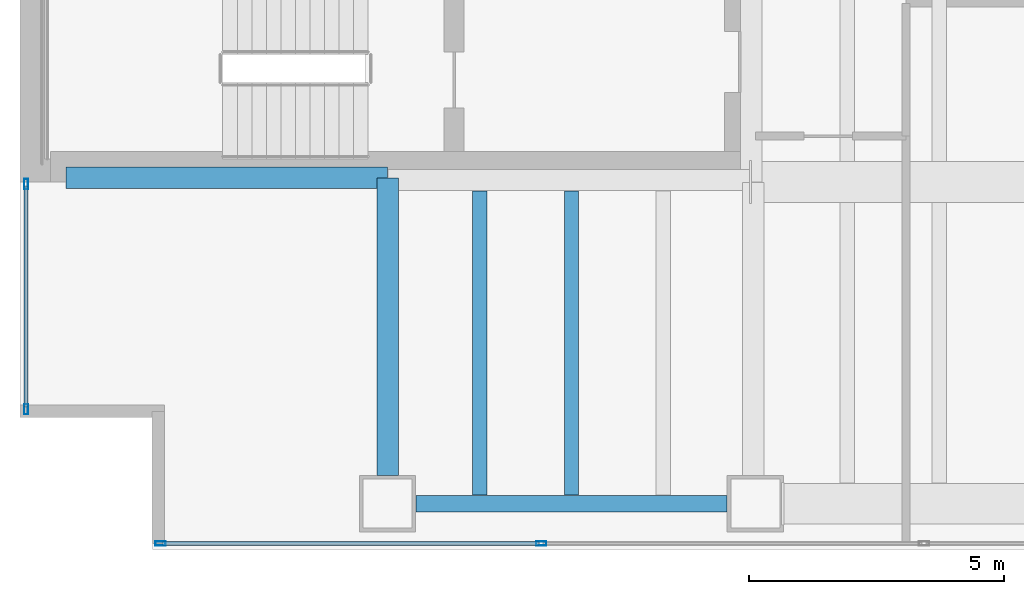
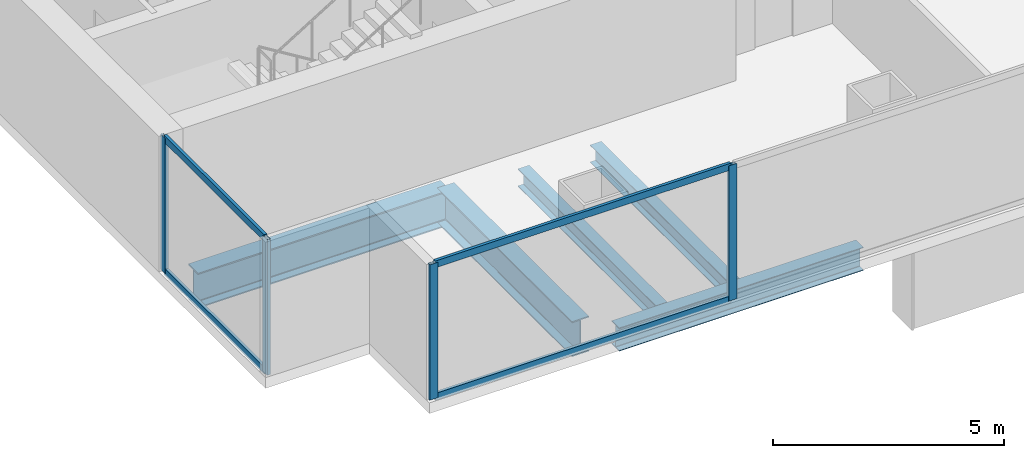
# One storey, part 2 of 24: 8 members, 5 beams, 2 elements without a shape of their own.
"""IFC4 building model written with IfcOpenShell, lengths in metres."""

from ifc_helpers import new_model, si_unit, direction, frame, origin, origin_2d, place, context, subcontext, project, spatial, hollow_rectangle, i_section, extrude, material, material_profile, profile_set, type_object, element, aggregate, save


model = new_model("IFC4")

# Units and contexts
model_context = context("Model", 3, precision=1e-05, world=origin(), true_north=direction((0.0, 1.0)))
body_context = subcontext(model_context, "Body", "Model", "MODEL_VIEW")
ifc_project = project(units=[si_unit("LENGTHUNIT", "METRE"), si_unit("AREAUNIT", "SQUARE_METRE"), si_unit("VOLUMEUNIT", "CUBIC_METRE"), si_unit("PLANEANGLEUNIT", "RADIAN"), si_unit("MASSUNIT", "GRAM", prefix="KILO")], contexts=[model_context])

# Site, building, storey
site_placement = place(None, origin())
site = spatial("IfcSite", under=ifc_project, at=site_placement, CompositionType="ELEMENT")
building_placement = place(site_placement, origin())
building = spatial("IfcBuilding", under=site, at=building_placement, Name="Cobrela Telecom Tower", CompositionType="ELEMENT")
storey_placement = place(building_placement, frame((0.0, 0.0, 31.14990234375)))
storey = spatial("IfcBuildingStorey", under=building, at=storey_placement, Name="L07", CompositionType="ELEMENT", Elevation=31.14990234375)

# Beams
ifc_material_1 = material(Name="Steel ASTM A992 Grade 50", Category="steel")
ifc_material_profile_1 = material_profile(ifc_material_1, i_section(OverallWidth=0.4189453125, OverallDepth=0.927001953125, WebThickness=0.019287109375, FlangeThickness=0.031982421875, FilletRadius=0.02392578125, at=origin_2d()), Name="W36X231")
ifc_profile_set_1 = profile_set([ifc_material_profile_1], Name="Steel ASTM A992 Grade 50")
beam_type_1 = type_object("IfcBeamType", Name="BM-GIRD-02", PredefinedType="USERDEFINED", material=ifc_profile_set_1)
beam_1_placement = place(storey_placement, frame((0.905029296875, 7.280029296875, -0.743408203125), z_axis=(1.0, 0.0, 0.0), x_axis=(0.0, 1.0, 0.0)))
element("IfcBeam", 1, at=beam_1_placement, inside=storey, type_object=beam_type_1, Name="L07 Primary Girder X04", ObjectType="GIRDER", PredefinedType="USERDEFINED", context=body_context, shape_type="SweptSolid", body=[
    extrude(i_section(OverallWidth=0.4189453125, OverallDepth=0.927001953125, WebThickness=0.019287109375, FlangeThickness=0.031982421875, FilletRadius=0.02392578125, at=origin_2d()), origin(), (0.0, 0.0, 1.0), 6.2900390625),
])
beam_2_placement = place(storey_placement, frame((7.199951171875, 1.455078125, -0.743408203125), z_axis=(0.0, 1.0, 0.0), x_axis=(-1.0, 0.0, 0.0)))
element("IfcBeam", 2, at=beam_2_placement, inside=storey, type_object=beam_type_1, Name="L07 Primary Girder Y18", ObjectType="GIRDER", PredefinedType="USERDEFINED", context=body_context, shape_type="SweptSolid", body=[
    extrude(i_section(OverallWidth=0.4189453125, OverallDepth=0.927001953125, WebThickness=0.019287109375, FlangeThickness=0.031982421875, FilletRadius=0.02392578125, at=origin_2d()), origin(), (0.0, 0.0, 1.0), 5.81982421875),
])
ifc_material_profile_2 = material_profile(ifc_material_1, i_section(OverallWidth=0.281982421875, OverallDepth=0.467041015625, WebThickness=0.01220703125, FlangeThickness=0.01953125, FilletRadius=0.012939453125, at=origin_2d()), Name="W18X86")
ifc_profile_set_2 = profile_set([ifc_material_profile_2], Name="Steel ASTM A992 Grade 50")
beam_type_2 = type_object("IfcBeamType", Name="BM-JOIST-02", PredefinedType="JOIST", material=ifc_profile_set_2)
for number, where, z_axis, x_axis, name in (
    (3, (9.0, 1.0673828125, -0.513427734375), (0.0, 1.0, 0.0), (-1.0, 0.0, 0.0), "L07 Secondary Composite Floor Beam J01"),
    (4, (10.800048828125, 1.0673828125, -0.513427734375), (0.0, 1.0, 0.0), (-1.0, 0.0, 0.0), "L07 Secondary Composite Floor Beam J03"),
):
    element("IfcBeam", number, at=place(storey_placement, frame(where, z_axis=z_axis, x_axis=x_axis)), inside=storey, type_object=beam_type_2, Name=name, PredefinedType="JOIST", context=body_context, shape_type="SweptSolid", body=[
        extrude(i_section(OverallWidth=0.281982421875, OverallDepth=0.467041015625, WebThickness=0.01220703125, FlangeThickness=0.01953125, FilletRadius=0.012939453125, at=origin_2d()), origin(), (0.0, 0.0, 1.0), 5.9580078125),
    ])
ifc_material_profile_3 = material_profile(ifc_material_1, i_section(OverallWidth=0.324951171875, OverallDepth=0.612060546875, WebThickness=0.0126953125, FlangeThickness=0.01904296875, FilletRadius=0.014892578125, at=origin_2d()), Name="W24X104")
ifc_profile_set_3 = profile_set([ifc_material_profile_3], Name="Steel ASTM A992 Grade 50")
beam_type_3 = type_object("IfcBeamType", Name="BM-SPAND-02", PredefinedType="SPANDREL", material=ifc_profile_set_3)
beam_3_placement = place(storey_placement, frame((7.7548828125, 0.89990234375, -0.5859375), z_axis=(1.0, 0.0, 0.0), x_axis=(0.0, 1.0, 0.0)))
element("IfcBeam", 5, at=beam_3_placement, inside=storey, type_object=beam_type_3, Name="L07 Perimeter Spandrel X01", PredefinedType="SPANDREL", context=body_context, shape_type="SweptSolid", body=[
    extrude(i_section(OverallWidth=0.324951171875, OverallDepth=0.612060546875, WebThickness=0.0126953125, FlangeThickness=0.01904296875, FilletRadius=0.014892578125, at=origin_2d()), origin(), (0.0, 0.0, 1.0), 6.090087890625),
])

# Curtain wall, members
ifc_material_2 = material(Name="Anodized Bronze Aluminium 6063-T6", Category="aluminium")
curtain_wall_type = type_object("IfcCurtainWallType", Name="CW-SYS-DATA", PredefinedType="USERDEFINED", material=ifc_material_2)
curtain_wall_1_placement = place(storey_placement, origin())
curtain_wall_1 = element("IfcCurtainWall", 6, at=curtain_wall_1_placement, inside=storey, type_object=curtain_wall_type, Name="L07 Unitised Bronze Curtain Wall 03", ObjectType="UNITISED CURTAIN WALL", PredefinedType="USERDEFINED")
ifc_material_profile_4 = material_profile(ifc_material_2, hollow_rectangle(XDim=0.080078125, YDim=0.199951171875, WallThickness=0.00390625, at=origin_2d()), Name="ALU 80x200x4")
ifc_profile_set_4 = profile_set([ifc_material_profile_4], Name="Anodized Bronze Aluminium 6063-T6")
member_type_1 = type_object("IfcMemberType", Name="CW-SYS-DATA-MUL", PredefinedType="MULLION", material=ifc_profile_set_4)
member_1_placement = place(storey_placement, frame((0.1201171875, 2.75, 0.0), z_axis=(0.0, 0.0, 1.0), x_axis=(-1.0, 0.0, 0.0)))
member_1 = element("IfcMember", 7, at=member_1_placement, type_object=member_type_1, Name="CW-DATA mullion 1", PredefinedType="MULLION", context=body_context, shape_type="SweptSolid", body=[
    extrude(hollow_rectangle(XDim=0.080078125, YDim=0.199951171875, WallThickness=0.00390625, at=origin_2d()), origin(), (0.0, 0.0, 1.0), 3.570068359375),
])
member_2_placement = place(storey_placement, frame((0.1201171875, 7.159912109375, 0.0), z_axis=(0.0, 0.0, 1.0), x_axis=(-1.0, 0.0, 0.0)))
member_2 = element("IfcMember", 8, at=member_2_placement, type_object=member_type_1, Name="CW-DATA mullion 2", PredefinedType="MULLION", context=body_context, shape_type="SweptSolid", body=[
    extrude(hollow_rectangle(XDim=0.080078125, YDim=0.199951171875, WallThickness=0.00390625, at=origin_2d()), origin(), (0.0, 0.0, 1.0), 3.570068359375),
])

curtain_wall_2_placement = place(storey_placement, origin())
curtain_wall_2 = element("IfcCurtainWall", 9, at=curtain_wall_2_placement, inside=storey, type_object=curtain_wall_type, Name="L07 Unitised Bronze Curtain Wall 17", ObjectType="UNITISED CURTAIN WALL", PredefinedType="USERDEFINED")
member_3_placement = place(storey_placement, frame((10.206787109375, 0.1201171875, 0.0), z_axis=(0.0, 0.0, 1.0), x_axis=(0.0, -1.0, 0.0)))
member_3 = element("IfcMember", 10, at=member_3_placement, type_object=member_type_1, Name="CW-DATA mullion 6", PredefinedType="MULLION", context=body_context, shape_type="SweptSolid", body=[
    extrude(hollow_rectangle(XDim=0.080078125, YDim=0.199951171875, WallThickness=0.00390625, at=origin_2d()), origin(), (0.0, 0.0, 1.0), 3.570068359375),
])
member_4_placement = place(storey_placement, frame((2.75, 0.1201171875, 0.0), z_axis=(0.0, 0.0, 1.0), x_axis=(0.0, -1.0, 0.0)))
member_4 = element("IfcMember", 11, at=member_4_placement, type_object=member_type_1, Name="CW-DATA mullion 7", PredefinedType="MULLION", context=body_context, shape_type="SweptSolid", body=[
    extrude(hollow_rectangle(XDim=0.080078125, YDim=0.199951171875, WallThickness=0.00390625, at=origin_2d()), origin(), (0.0, 0.0, 1.0), 3.570068359375),
])

# Member
ifc_material_profile_5 = material_profile(ifc_material_2, hollow_rectangle(XDim=0.074951171875, YDim=0.179931640625, WallThickness=0.00390625, at=origin_2d()), Name="ALU 75x180x4")
ifc_profile_set_5 = profile_set([ifc_material_profile_5], Name="Anodized Bronze Aluminium 6063-T6")
member_type_2 = type_object("IfcMemberType", Name="CW-SYS-DATA-TRN", PredefinedType="USERDEFINED", material=ifc_profile_set_5)
member_5_placement = place(storey_placement, frame((0.1201171875, 2.7900390625, 0.03759765625), z_axis=(0.0, 1.0, 0.0), x_axis=(-1.0, 0.0, 0.0)))
member_5 = element("IfcMember", 12, at=member_5_placement, type_object=member_type_2, Name="CW-DATA transom 1.1", ObjectType="TRANSOM", PredefinedType="USERDEFINED", context=body_context, shape_type="SweptSolid", body=[
    extrude(hollow_rectangle(XDim=0.074951171875, YDim=0.179931640625, WallThickness=0.00390625, at=origin_2d()), origin(), (0.0, 0.0, 1.0), 4.330078125),
])

member_6_placement = place(storey_placement, frame((0.1201171875, 2.7900390625, 3.53271484375), z_axis=(0.0, 1.0, 0.0), x_axis=(-1.0, 0.0, 0.0)))
member_6 = element("IfcMember", 13, at=member_6_placement, type_object=member_type_2, Name="CW-DATA transom 1.2", ObjectType="TRANSOM", PredefinedType="USERDEFINED", context=body_context, shape_type="SweptSolid", body=[
    extrude(hollow_rectangle(XDim=0.074951171875, YDim=0.179931640625, WallThickness=0.00390625, at=origin_2d()), origin(), (0.0, 0.0, 1.0), 4.330078125),
])

aggregate(curtain_wall_1, [member_1, member_2, member_5, member_6])

member_7_placement = place(storey_placement, frame((10.166748046875, 0.1201171875, 0.03759765625), z_axis=(-1.0, 0.0, 0.0), x_axis=(0.0, -1.0, 0.0)))
member_7 = element("IfcMember", 14, at=member_7_placement, type_object=member_type_2, Name="CW-DATA transom 6.1", ObjectType="TRANSOM", PredefinedType="USERDEFINED", context=body_context, shape_type="SweptSolid", body=[
    extrude(hollow_rectangle(XDim=0.074951171875, YDim=0.179931640625, WallThickness=0.00390625, at=origin_2d()), origin(), (0.0, 0.0, 1.0), 7.376708984375),
])

member_8_placement = place(storey_placement, frame((10.166748046875, 0.1201171875, 3.53271484375), z_axis=(-1.0, 0.0, 0.0), x_axis=(0.0, -1.0, 0.0)))
member_8 = element("IfcMember", 15, at=member_8_placement, type_object=member_type_2, Name="CW-DATA transom 6.2", ObjectType="TRANSOM", PredefinedType="USERDEFINED", context=body_context, shape_type="SweptSolid", body=[
    extrude(hollow_rectangle(XDim=0.074951171875, YDim=0.179931640625, WallThickness=0.00390625, at=origin_2d()), origin(), (0.0, 0.0, 1.0), 7.376708984375),
])

aggregate(curtain_wall_2, [member_3, member_4, member_7, member_8])

save(model, "model.ifc")
